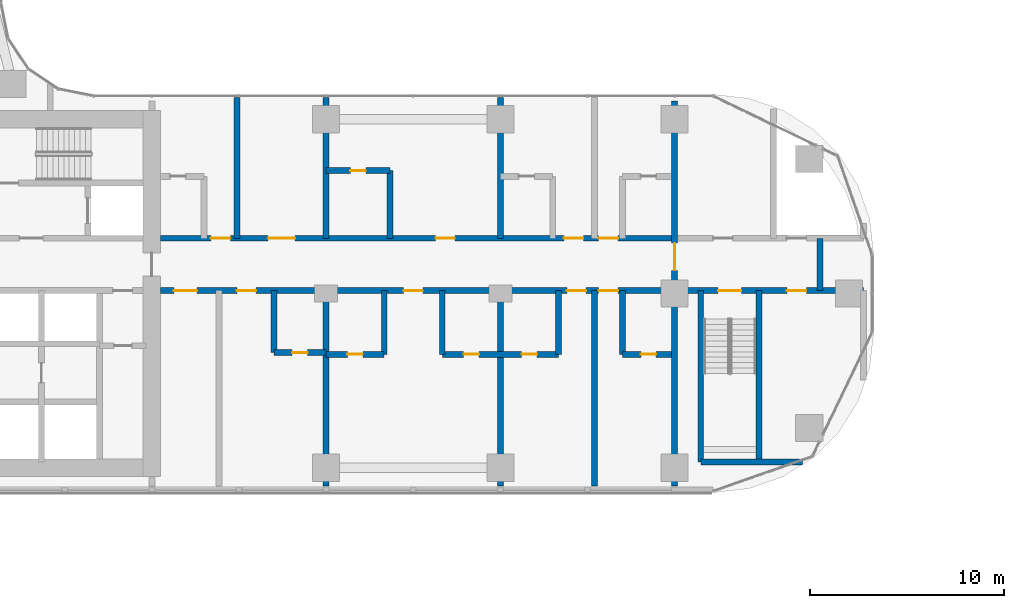
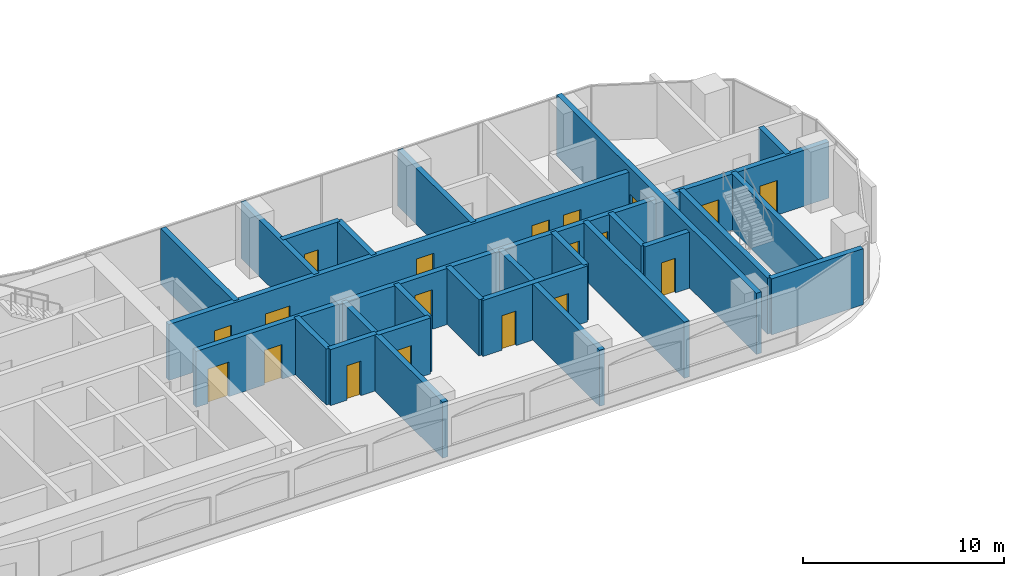
# One storey, part 20 of 36: 25 walls, 19 doors, 19 openings.
"""IFC4 building model written with IfcOpenShell, lengths in metres."""

from ifc_helpers import new_model, si_unit, direction, frame, frame_2d, origin, place, context, subcontext, project, spatial, rectangle, extrude, material, layer, layer_set, type_object, element, fill, save


model = new_model("IFC4")

# Units and contexts
model_context = context("Model", 3, precision=1e-05, world=origin(), true_north=direction((0.0, 1.0)))
body_context = subcontext(model_context, "Body", "Model", "MODEL_VIEW")
ifc_project = project(units=[si_unit("LENGTHUNIT", "METRE"), si_unit("AREAUNIT", "SQUARE_METRE"), si_unit("VOLUMEUNIT", "CUBIC_METRE"), si_unit("PLANEANGLEUNIT", "RADIAN"), si_unit("MASSUNIT", "GRAM", prefix="KILO")], contexts=[model_context])

# Site, building, storey
site_placement = place(None, origin())
site = spatial("IfcSite", under=ifc_project, at=site_placement, CompositionType="ELEMENT")
building_placement = place(site_placement, origin())
building = spatial("IfcBuilding", under=site, at=building_placement, Name="Ogive Portal Towers", CompositionType="ELEMENT")
storey_placement = place(building_placement, frame((0.0, 0.0, 48.300048828125)))
storey = spatial("IfcBuildingStorey", under=building, at=storey_placement, Name="L10", CompositionType="ELEMENT", Elevation=48.300048828125)

# Wall, opening, door
ifc_material_1 = material(Name="Concrete C60/75", Category="concrete")
ifc_layer_1 = layer(ifc_material_1, 0.300048828125)
ifc_layer_set_1 = layer_set([ifc_layer_1], Name="REVEAL WALL 300 C60")
wall_type_1 = type_object("IfcWallType", Name="REVEAL WALL 300 C60", PredefinedType="SHEAR", material=ifc_layer_set_1)
wall_1_placement = place(storey_placement, frame((85.5, 20.56494140625, 0.0), z_axis=(0.0, 0.0, 1.0), x_axis=(0.0, 1.0, 0.0)))
wall_1 = element("IfcWall", 1, at=wall_1_placement, inside=storey, type_object=wall_type_1, Name="Portal reveal wall L10", PredefinedType="SHEAR", context=body_context, shape_type="SweptSolid", body=[
    extrude(rectangle(XDim=19.8701171875, YDim=0.300048828125, at=frame_2d((9.93505859375, 0.0))), origin(), (0.0, 0.0, 1.0), 3.699951171875),
])
opening_1_placement = place(wall_1_placement, frame((11.135009765625, 0.0, 0.0)))
opening_1 = element("IfcOpeningElement", 2, at=opening_1_placement, cuts=wall_1, Name="Opening D02-069", PredefinedType="OPENING", context=body_context, shape_type="SweptSolid", body=[
    extrude(rectangle(XDim=1.39990234375, YDim=2.10009765625, at=frame_2d((0.699951171875, 1.050048828125))), frame((0.0, 0.16015625, 0.0), z_axis=(0.0, -1.0, 0.0), x_axis=(1.0, 0.0, 0.0)), (0.0, 0.0, 1.0), 0.320068359375),
])
ifc_material_2 = material(Name="Steel fire door", Category="steel")
door_type_1 = type_object("IfcDoorType", Name="DT-STAIR-1400x2100-FD90S", OperationType="SINGLE_SWING_LEFT", PredefinedType="DOOR", material=ifc_material_2)
door_1_placement = place(opening_1_placement, origin())
door_1 = element("IfcDoor", 3, at=door_1_placement, inside=storey, type_object=door_type_1, Name="Door D02-069", OperationType="SINGLE_SWING_RIGHT", OverallHeight=2.10009765625, OverallWidth=1.39990234375, PredefinedType="DOOR", context=body_context, shape_type="SweptSolid", body=[
    extrude(rectangle(XDim=1.39990234375, YDim=2.10009765625, at=frame_2d((0.699951171875, 1.050048828125))), frame((0.0, 0.02490234375, 0.0), z_axis=(0.0, -1.0, 0.0), x_axis=(1.0, 0.0, 0.0)), (0.0, 0.0, 1.0), 0.050048828125),
])
fill(opening_1, door_1)

# Wall
ifc_material_3 = material(Name="Concrete C50/60", Category="concrete")
ifc_layer_2 = layer(ifc_material_3, 0.300048828125)
ifc_layer_set_2 = layer_set([ifc_layer_2], Name="STAIR WALL 300 C50")
wall_type_2 = type_object("IfcWallType", Name="STAIR WALL 300 C50", PredefinedType="SHEAR", material=ifc_layer_set_2)
wall_2_placement = place(storey_placement, frame((86.85009765625, 21.800048828125, 0.0), z_axis=(0.0, 0.0, 1.0), x_axis=(1.0, 0.0, 0.0)))
element("IfcWall", 4, at=wall_2_placement, inside=storey, type_object=wall_type_2, Name="Stair wall ST-A4 L10", PredefinedType="SHEAR", context=body_context, shape_type="SweptSolid", body=[
    extrude(rectangle(XDim=5.263916015625, YDim=0.300048828125, at=frame_2d((2.6318359375, 0.0))), origin(), (0.0, 0.0, 1.0), 3.39990234375),
])

# Wall, openings, doors
wall_3_placement = place(storey_placement, frame((85.669921875, 30.64990234375, 0.0), z_axis=(0.0, 0.0, 1.0), x_axis=(1.0, 0.0, 0.0)))
wall_3 = element("IfcWall", 5, at=wall_3_placement, inside=storey, type_object=wall_type_2, Name="Stair wall ST-A4 L10", PredefinedType="SHEAR", context=body_context, shape_type="SweptSolid", body=[
    extrude(rectangle(XDim=9.580078125, YDim=0.300048828125, at=frame_2d((4.7900390625, 0.0))), origin(), (0.0, 0.0, 1.0), 3.39990234375),
])
opening_2_placement = place(wall_3_placement, frame((2.080078125, 0.0, 0.0)))
opening_2 = element("IfcOpeningElement", 6, at=opening_2_placement, cuts=wall_3, Name="Opening D02-064", PredefinedType="OPENING", context=body_context, shape_type="SweptSolid", body=[
    extrude(rectangle(XDim=1.199951171875, YDim=2.10009765625, at=frame_2d((0.60009765625, 1.050048828125))), frame((0.0, 0.16015625, 0.0), z_axis=(0.0, -1.0, 0.0), x_axis=(1.0, 0.0, 0.0)), (0.0, 0.0, 1.0), 0.320068359375),
])
opening_3_placement = place(wall_3_placement, frame((5.6298828125, 0.0, 0.0)))
opening_3 = element("IfcOpeningElement", 7, at=opening_3_placement, cuts=wall_3, Name="Opening D02-067", PredefinedType="OPENING", context=body_context, shape_type="SweptSolid", body=[
    extrude(rectangle(XDim=1.0, YDim=2.10009765625, at=frame_2d((0.5, 1.050048828125))), frame((0.0, 0.16015625, 0.0), z_axis=(0.0, -1.0, 0.0), x_axis=(1.0, 0.0, 0.0)), (0.0, 0.0, 1.0), 0.320068359375),
])
door_type_2 = type_object("IfcDoorType", Name="DT-SERVICE-1000x2100-FD90S", OperationType="SINGLE_SWING_LEFT", PredefinedType="DOOR", material=ifc_material_2)
door_2_placement = place(opening_3_placement, origin())
door_2 = element("IfcDoor", 8, at=door_2_placement, inside=storey, type_object=door_type_2, Name="Door D02-067", OperationType="SINGLE_SWING_LEFT", OverallHeight=2.10009765625, OverallWidth=1.0, PredefinedType="DOOR", context=body_context, shape_type="SweptSolid", body=[
    extrude(rectangle(XDim=1.0, YDim=2.10009765625, at=frame_2d((0.5, 1.050048828125))), frame((0.0, 0.02490234375, 0.0), z_axis=(0.0, -1.0, 0.0), x_axis=(1.0, 0.0, 0.0)), (0.0, 0.0, 1.0), 0.050048828125),
])
fill(opening_3, door_2)
door_type_3 = type_object("IfcDoorType", Name="DT-STAIR-1200x2100-FD90S", OperationType="SINGLE_SWING_LEFT", PredefinedType="DOOR", material=ifc_material_2)
door_3_placement = place(opening_2_placement, origin())
door_3 = element("IfcDoor", 9, at=door_3_placement, inside=storey, type_object=door_type_3, Name="Door D02-064", OperationType="SINGLE_SWING_LEFT", OverallHeight=2.10009765625, OverallWidth=1.199951171875, PredefinedType="DOOR", context=body_context, shape_type="SweptSolid", body=[
    extrude(rectangle(XDim=1.199951171875, YDim=2.10009765625, at=frame_2d((0.60009765625, 1.050048828125))), frame((0.0, 0.02490234375, 0.0), z_axis=(0.0, -1.0, 0.0), x_axis=(1.0, 0.0, 0.0)), (0.0, 0.0, 1.0), 0.050048828125),
])
fill(opening_2, door_3)

# Walls
for number, where, z_axis, x_axis, name in (
    (10, (86.85009765625, 21.800048828125, 0.0), (0.0, 0.0, 1.0), (0.0, 1.0, 0.0), "Stair wall ST-A4 L10"),
    (11, (89.85009765625, 21.800048828125, 0.0), (0.0, 0.0, 1.0), (0.0, 1.0, 0.0), "Stair wall ST-A4 L10"),
):
    element("IfcWall", number, at=place(storey_placement, frame(where, z_axis=z_axis, x_axis=x_axis)), inside=storey, type_object=wall_type_2, Name=name, PredefinedType="SHEAR", context=body_context, shape_type="SweptSolid", body=[
        extrude(rectangle(XDim=8.849853515625, YDim=0.300048828125, at=frame_2d((4.4248046875, 0.0))), origin(), (0.0, 0.0, 1.0), 3.39990234375),
    ])

# Wall, openings, doors
ifc_material_4 = material(Name="Gypsum board partition on steel studs", Category="steel")
ifc_layer_3 = layer(ifc_material_4, 0.300048828125)
ifc_layer_set_3 = layer_set([ifc_layer_3], Name="WT-PART-300-EI 120")
wall_type_3 = type_object("IfcWallType", Name="WT-PART-300-EI 120", PredefinedType="PARTITIONING", material=ifc_layer_set_3)
wall_4_placement = place(storey_placement, frame((58.949951171875, 30.64990234375, 0.0), z_axis=(0.0, 0.0, 1.0), x_axis=(1.0, 0.0, 0.0)))
wall_4 = element("IfcWall", 12, at=wall_4_placement, inside=storey, type_object=wall_type_3, Name="Wall L10:w006", PredefinedType="PARTITIONING", context=body_context, shape_type="SweptSolid", body=[
    extrude(rectangle(XDim=26.380126953125, YDim=0.300048828125, at=frame_2d((13.18994140625, 0.0))), origin(), (0.0, 0.0, 1.0), 3.39990234375),
])
opening_4_placement = place(wall_4_placement, frame((0.68505859375, 0.0, 0.0)))
opening_4 = element("IfcOpeningElement", 13, at=opening_4_placement, cuts=wall_4, Name="Opening D02-029", PredefinedType="OPENING", context=body_context, shape_type="SweptSolid", body=[
    extrude(rectangle(XDim=1.199951171875, YDim=2.10009765625, at=frame_2d((0.60009765625, 1.050048828125))), frame((0.0, 0.16015625, 0.0), z_axis=(0.0, -1.0, 0.0), x_axis=(1.0, 0.0, 0.0)), (0.0, 0.0, 1.0), 0.320068359375),
])
opening_5_placement = place(wall_4_placement, frame((3.93505859375, 0.0, 0.0)))
opening_5 = element("IfcOpeningElement", 14, at=opening_5_placement, cuts=wall_4, Name="Opening D02-031", PredefinedType="OPENING", context=body_context, shape_type="SweptSolid", body=[
    extrude(rectangle(XDim=1.0, YDim=2.10009765625, at=frame_2d((0.5, 1.050048828125))), frame((0.0, 0.16015625, 0.0), z_axis=(0.0, -1.0, 0.0), x_axis=(1.0, 0.0, 0.0)), (0.0, 0.0, 1.0), 0.320068359375),
])
opening_6_placement = place(wall_4_placement, frame((12.550048828125, 0.0, 0.0)))
opening_6 = element("IfcOpeningElement", 15, at=opening_6_placement, cuts=wall_4, Name="Opening D02-036", PredefinedType="OPENING", context=body_context, shape_type="SweptSolid", body=[
    extrude(rectangle(XDim=1.0, YDim=2.39990234375, at=frame_2d((0.5, 1.199951171875))), frame((0.0, 0.16015625, 0.0), z_axis=(0.0, -1.0, 0.0), x_axis=(1.0, 0.0, 0.0)), (0.0, 0.0, 1.0), 0.320068359375),
])
opening_7_placement = place(wall_4_placement, frame((20.97998046875, 0.0, 0.0)))
opening_7 = element("IfcOpeningElement", 16, at=opening_7_placement, cuts=wall_4, Name="Opening D02-042", PredefinedType="OPENING", context=body_context, shape_type="SweptSolid", body=[
    extrude(rectangle(XDim=1.0, YDim=2.39990234375, at=frame_2d((0.5, 1.199951171875))), frame((0.0, 0.16015625, 0.0), z_axis=(0.0, -1.0, 0.0), x_axis=(1.0, 0.0, 0.0)), (0.0, 0.0, 1.0), 0.320068359375),
])
opening_8_placement = place(wall_4_placement, frame((22.6298828125, 0.0, 0.0)))
opening_8 = element("IfcOpeningElement", 17, at=opening_8_placement, cuts=wall_4, Name="Opening D02-044", PredefinedType="OPENING", context=body_context, shape_type="SweptSolid", body=[
    extrude(rectangle(XDim=1.0, YDim=2.39990234375, at=frame_2d((0.5, 1.199951171875))), frame((0.0, 0.16015625, 0.0), z_axis=(0.0, -1.0, 0.0), x_axis=(1.0, 0.0, 0.0)), (0.0, 0.0, 1.0), 0.320068359375),
])
door_type_4 = type_object("IfcDoorType", Name="DT-ENTRY-1000x2100-FD90S", OperationType="SINGLE_SWING_LEFT", PredefinedType="DOOR", material=ifc_material_2)
door_4_placement = place(opening_5_placement, origin())
door_4 = element("IfcDoor", 18, at=door_4_placement, inside=storey, type_object=door_type_4, Name="Door D02-031", OperationType="SINGLE_SWING_LEFT", OverallHeight=2.10009765625, OverallWidth=1.0, PredefinedType="DOOR", context=body_context, shape_type="SweptSolid", body=[
    extrude(rectangle(XDim=1.0, YDim=2.10009765625, at=frame_2d((0.5, 1.050048828125))), frame((0.0, 0.02490234375, 0.0), z_axis=(0.0, -1.0, 0.0), x_axis=(1.0, 0.0, 0.0)), (0.0, 0.0, 1.0), 0.050048828125),
])
fill(opening_5, door_4)
door_type_5 = type_object("IfcDoorType", Name="DT-ENTRY-1000x2400-FD90S", OperationType="SINGLE_SWING_LEFT", PredefinedType="DOOR", material=ifc_material_2)
door_5_placement = place(opening_6_placement, origin())
door_5 = element("IfcDoor", 19, at=door_5_placement, inside=storey, type_object=door_type_5, Name="Door D02-036", OperationType="SINGLE_SWING_RIGHT", OverallHeight=2.39990234375, OverallWidth=1.0, PredefinedType="DOOR", context=body_context, shape_type="SweptSolid", body=[
    extrude(rectangle(XDim=1.0, YDim=2.39990234375, at=frame_2d((0.5, 1.199951171875))), frame((0.0, 0.02490234375, 0.0), z_axis=(0.0, -1.0, 0.0), x_axis=(1.0, 0.0, 0.0)), (0.0, 0.0, 1.0), 0.050048828125),
])
fill(opening_6, door_5)
door_6_placement = place(opening_7_placement, origin())
door_6 = element("IfcDoor", 20, at=door_6_placement, inside=storey, type_object=door_type_5, Name="Door D02-042", OperationType="SINGLE_SWING_LEFT", OverallHeight=2.39990234375, OverallWidth=1.0, PredefinedType="DOOR", context=body_context, shape_type="SweptSolid", body=[
    extrude(rectangle(XDim=1.0, YDim=2.39990234375, at=frame_2d((0.5, 1.199951171875))), frame((0.0, 0.02490234375, 0.0), z_axis=(0.0, -1.0, 0.0), x_axis=(1.0, 0.0, 0.0)), (0.0, 0.0, 1.0), 0.050048828125),
])
fill(opening_7, door_6)
door_7_placement = place(opening_8_placement, origin())
door_7 = element("IfcDoor", 21, at=door_7_placement, inside=storey, type_object=door_type_5, Name="Door D02-044", OperationType="SINGLE_SWING_RIGHT", OverallHeight=2.39990234375, OverallWidth=1.0, PredefinedType="DOOR", context=body_context, shape_type="SweptSolid", body=[
    extrude(rectangle(XDim=1.0, YDim=2.39990234375, at=frame_2d((0.5, 1.199951171875))), frame((0.0, 0.02490234375, 0.0), z_axis=(0.0, -1.0, 0.0), x_axis=(1.0, 0.0, 0.0)), (0.0, 0.0, 1.0), 0.050048828125),
])
fill(opening_8, door_7)
door_type_6 = type_object("IfcDoorType", Name="DT-ENTRY-1200x2100-FD90S", OperationType="SINGLE_SWING_LEFT", PredefinedType="DOOR", material=ifc_material_2)
door_8_placement = place(opening_4_placement, origin())
door_8 = element("IfcDoor", 22, at=door_8_placement, inside=storey, type_object=door_type_6, Name="Door D02-029", OperationType="SINGLE_SWING_LEFT", OverallHeight=2.10009765625, OverallWidth=1.199951171875, PredefinedType="DOOR", context=body_context, shape_type="SweptSolid", body=[
    extrude(rectangle(XDim=1.199951171875, YDim=2.10009765625, at=frame_2d((0.60009765625, 1.050048828125))), frame((0.0, 0.02490234375, 0.0), z_axis=(0.0, -1.0, 0.0), x_axis=(1.0, 0.0, 0.0)), (0.0, 0.0, 1.0), 0.050048828125),
])
fill(opening_4, door_8)

wall_5_placement = place(storey_placement, frame((58.949951171875, 33.35009765625, 0.0), z_axis=(0.0, 0.0, 1.0), x_axis=(1.0, 0.0, 0.0)))
wall_5 = element("IfcWall", 23, at=wall_5_placement, inside=storey, type_object=wall_type_3, Name="Wall L10:w008", PredefinedType="PARTITIONING", context=body_context, shape_type="SweptSolid", body=[
    extrude(rectangle(XDim=26.380126953125, YDim=0.300048828125, at=frame_2d((13.18994140625, 0.0))), origin(), (0.0, 0.0, 1.0), 3.39990234375),
])
opening_9_placement = place(wall_5_placement, frame((2.60009765625, 0.0, 0.0)))
opening_9 = element("IfcOpeningElement", 24, at=opening_9_placement, cuts=wall_5, Name="Opening D02-027", PredefinedType="OPENING", context=body_context, shape_type="SweptSolid", body=[
    extrude(rectangle(XDim=1.0, YDim=2.10009765625, at=frame_2d((0.5, 1.050048828125))), frame((0.0, 0.16015625, 0.0), z_axis=(0.0, -1.0, 0.0), x_axis=(1.0, 0.0, 0.0)), (0.0, 0.0, 1.0), 0.320068359375),
])
opening_10_placement = place(wall_5_placement, frame((5.550048828125, 0.0, 0.0)))
opening_10 = element("IfcOpeningElement", 25, at=opening_10_placement, cuts=wall_5, Name="Opening D02-028", PredefinedType="OPENING", context=body_context, shape_type="SweptSolid", body=[
    extrude(rectangle(XDim=1.39990234375, YDim=2.10009765625, at=frame_2d((0.699951171875, 1.050048828125))), frame((0.0, 0.16015625, 0.0), z_axis=(0.0, -1.0, 0.0), x_axis=(1.0, 0.0, 0.0)), (0.0, 0.0, 1.0), 0.320068359375),
])
opening_11_placement = place(wall_5_placement, frame((14.199951171875, 0.0, 0.0)))
opening_11 = element("IfcOpeningElement", 26, at=opening_11_placement, cuts=wall_5, Name="Opening D02-033", PredefinedType="OPENING", context=body_context, shape_type="SweptSolid", body=[
    extrude(rectangle(XDim=1.0, YDim=2.39990234375, at=frame_2d((0.5, 1.199951171875))), frame((0.0, 0.16015625, 0.0), z_axis=(0.0, -1.0, 0.0), x_axis=(1.0, 0.0, 0.0)), (0.0, 0.0, 1.0), 0.320068359375),
])
opening_12_placement = place(wall_5_placement, frame((20.830078125, 0.0, 0.0)))
opening_12 = element("IfcOpeningElement", 27, at=opening_12_placement, cuts=wall_5, Name="Opening D02-038", PredefinedType="OPENING", context=body_context, shape_type="SweptSolid", body=[
    extrude(rectangle(XDim=1.0, YDim=2.10009765625, at=frame_2d((0.5, 1.050048828125))), frame((0.0, 0.16015625, 0.0), z_axis=(0.0, -1.0, 0.0), x_axis=(1.0, 0.0, 0.0)), (0.0, 0.0, 1.0), 0.320068359375),
])
opening_13_placement = place(wall_5_placement, frame((22.6298828125, 0.0, 0.0)))
opening_13 = element("IfcOpeningElement", 28, at=opening_13_placement, cuts=wall_5, Name="Opening D02-040", PredefinedType="OPENING", context=body_context, shape_type="SweptSolid", body=[
    extrude(rectangle(XDim=1.0, YDim=2.10009765625, at=frame_2d((0.5, 1.050048828125))), frame((0.0, 0.16015625, 0.0), z_axis=(0.0, -1.0, 0.0), x_axis=(1.0, 0.0, 0.0)), (0.0, 0.0, 1.0), 0.320068359375),
])
door_9_placement = place(opening_9_placement, origin())
door_9 = element("IfcDoor", 29, at=door_9_placement, inside=storey, type_object=door_type_4, Name="Door D02-027", OperationType="SINGLE_SWING_LEFT", OverallHeight=2.10009765625, OverallWidth=1.0, PredefinedType="DOOR", context=body_context, shape_type="SweptSolid", body=[
    extrude(rectangle(XDim=1.0, YDim=2.10009765625, at=frame_2d((0.5, 1.050048828125))), frame((0.0, 0.02490234375, 0.0), z_axis=(0.0, -1.0, 0.0), x_axis=(1.0, 0.0, 0.0)), (0.0, 0.0, 1.0), 0.050048828125),
])
fill(opening_9, door_9)
door_10_placement = place(opening_12_placement, origin())
door_10 = element("IfcDoor", 30, at=door_10_placement, inside=storey, type_object=door_type_4, Name="Door D02-038", OperationType="SINGLE_SWING_RIGHT", OverallHeight=2.10009765625, OverallWidth=1.0, PredefinedType="DOOR", context=body_context, shape_type="SweptSolid", body=[
    extrude(rectangle(XDim=1.0, YDim=2.10009765625, at=frame_2d((0.5, 1.050048828125))), frame((0.0, 0.02490234375, 0.0), z_axis=(0.0, -1.0, 0.0), x_axis=(1.0, 0.0, 0.0)), (0.0, 0.0, 1.0), 0.050048828125),
])
fill(opening_12, door_10)
door_11_placement = place(opening_13_placement, origin())
door_11 = element("IfcDoor", 31, at=door_11_placement, inside=storey, type_object=door_type_4, Name="Door D02-040", OperationType="SINGLE_SWING_LEFT", OverallHeight=2.10009765625, OverallWidth=1.0, PredefinedType="DOOR", context=body_context, shape_type="SweptSolid", body=[
    extrude(rectangle(XDim=1.0, YDim=2.10009765625, at=frame_2d((0.5, 1.050048828125))), frame((0.0, 0.02490234375, 0.0), z_axis=(0.0, -1.0, 0.0), x_axis=(1.0, 0.0, 0.0)), (0.0, 0.0, 1.0), 0.050048828125),
])
fill(opening_13, door_11)
door_12_placement = place(opening_11_placement, origin())
door_12 = element("IfcDoor", 32, at=door_12_placement, inside=storey, type_object=door_type_5, Name="Door D02-033", OperationType="SINGLE_SWING_LEFT", OverallHeight=2.39990234375, OverallWidth=1.0, PredefinedType="DOOR", context=body_context, shape_type="SweptSolid", body=[
    extrude(rectangle(XDim=1.0, YDim=2.39990234375, at=frame_2d((0.5, 1.199951171875))), frame((0.0, 0.02490234375, 0.0), z_axis=(0.0, -1.0, 0.0), x_axis=(1.0, 0.0, 0.0)), (0.0, 0.0, 1.0), 0.050048828125),
])
fill(opening_11, door_12)
door_type_7 = type_object("IfcDoorType", Name="DT-ENTRY-1400x2100-FD90S", OperationType="SINGLE_SWING_LEFT", PredefinedType="DOOR", material=ifc_material_2)
door_13_placement = place(opening_10_placement, origin())
door_13 = element("IfcDoor", 33, at=door_13_placement, inside=storey, type_object=door_type_7, Name="Door D02-028", OperationType="SINGLE_SWING_RIGHT", OverallHeight=2.10009765625, OverallWidth=1.39990234375, PredefinedType="DOOR", context=body_context, shape_type="SweptSolid", body=[
    extrude(rectangle(XDim=1.39990234375, YDim=2.10009765625, at=frame_2d((0.699951171875, 1.050048828125))), frame((0.0, 0.02490234375, 0.0), z_axis=(0.0, -1.0, 0.0), x_axis=(1.0, 0.0, 0.0)), (0.0, 0.0, 1.0), 0.050048828125),
])
fill(opening_10, door_13)

# Wall
wall_6_placement = place(storey_placement, frame((93.0, 30.64990234375, 0.0), z_axis=(0.0, 0.0, 1.0), x_axis=(0.0, 1.0, 0.0)))
element("IfcWall", 34, at=wall_6_placement, inside=storey, type_object=wall_type_3, Name="Wall L10:w068", PredefinedType="PARTITIONING", context=body_context, shape_type="SweptSolid", body=[
    extrude(rectangle(XDim=2.7001953125, YDim=0.300048828125, at=frame_2d((1.35009765625, 0.0))), origin(), (0.0, 0.0, 1.0), 3.39990234375),
])

# Wall, opening, door
ifc_layer_4 = layer(ifc_material_4, 0.300048828125)
ifc_layer_set_4 = layer_set([ifc_layer_4], Name="WT-PART-300-EI 60")
wall_type_4 = type_object("IfcWallType", Name="WT-PART-300-EI 60", PredefinedType="PARTITIONING", material=ifc_layer_set_4)
wall_7_placement = place(storey_placement, frame((67.5, 27.35009765625, 0.0), z_axis=(0.0, 0.0, 1.0), x_axis=(1.0, 0.0, 0.0)))
wall_7 = element("IfcWall", 35, at=wall_7_placement, inside=storey, type_object=wall_type_4, Name="Wall L10:w002", PredefinedType="PARTITIONING", context=body_context, shape_type="SweptSolid", body=[
    extrude(rectangle(XDim=3.0, YDim=0.300048828125, at=frame_2d((1.5, 0.0))), origin(), (0.0, 0.0, 1.0), 3.39990234375),
])
opening_14_placement = place(wall_7_placement, frame((1.10009765625, 0.0, 0.0)))
opening_14 = element("IfcOpeningElement", 36, at=opening_14_placement, cuts=wall_7, Name="Opening D02-034", PredefinedType="OPENING", context=body_context, shape_type="SweptSolid", body=[
    extrude(rectangle(XDim=0.800048828125, YDim=2.10009765625, at=frame_2d((0.39990234375, 1.050048828125))), frame((0.0, 0.16015625, 0.0), z_axis=(0.0, -1.0, 0.0), x_axis=(1.0, 0.0, 0.0)), (0.0, 0.0, 1.0), 0.320068359375),
])
door_type_8 = type_object("IfcDoorType", Name="DT-BATH-800x2100-FD60S", OperationType="SINGLE_SWING_LEFT", PredefinedType="DOOR", material=ifc_material_2)
door_14_placement = place(opening_14_placement, origin())
door_14 = element("IfcDoor", 37, at=door_14_placement, inside=storey, type_object=door_type_8, Name="Door D02-034", OperationType="SINGLE_SWING_LEFT", OverallHeight=2.10009765625, OverallWidth=0.800048828125, PredefinedType="DOOR", context=body_context, shape_type="SweptSolid", body=[
    extrude(rectangle(XDim=0.800048828125, YDim=2.10009765625, at=frame_2d((0.39990234375, 1.050048828125))), frame((0.0, 0.02490234375, 0.0), z_axis=(0.0, -1.0, 0.0), x_axis=(1.0, 0.0, 0.0)), (0.0, 0.0, 1.0), 0.050048828125),
])
fill(opening_14, door_14)

# Wall, openings, doors
wall_8_placement = place(storey_placement, frame((73.5, 27.35009765625, 0.0), z_axis=(0.0, 0.0, 1.0), x_axis=(1.0, 0.0, 0.0)))
wall_8 = element("IfcWall", 38, at=wall_8_placement, inside=storey, type_object=wall_type_4, Name="Wall L10:w003", PredefinedType="PARTITIONING", context=body_context, shape_type="SweptSolid", body=[
    extrude(rectangle(XDim=6.0, YDim=0.300048828125, at=frame_2d((3.0, 0.0))), origin(), (0.0, 0.0, 1.0), 3.39990234375),
])
opening_15_placement = place(wall_8_placement, frame((1.10009765625, 0.0, 0.0)))
opening_15 = element("IfcOpeningElement", 39, at=opening_15_placement, cuts=wall_8, Name="Opening D02-035", PredefinedType="OPENING", context=body_context, shape_type="SweptSolid", body=[
    extrude(rectangle(XDim=0.800048828125, YDim=2.10009765625, at=frame_2d((0.39990234375, 1.050048828125))), frame((0.0, 0.16015625, 0.0), z_axis=(0.0, -1.0, 0.0), x_axis=(1.0, 0.0, 0.0)), (0.0, 0.0, 1.0), 0.320068359375),
])
opening_16_placement = place(wall_8_placement, frame((4.10009765625, 0.0, 0.0)))
opening_16 = element("IfcOpeningElement", 40, at=opening_16_placement, cuts=wall_8, Name="Opening D02-041", PredefinedType="OPENING", context=body_context, shape_type="SweptSolid", body=[
    extrude(rectangle(XDim=0.800048828125, YDim=2.10009765625, at=frame_2d((0.39990234375, 1.050048828125))), frame((0.0, 0.16015625, 0.0), z_axis=(0.0, -1.0, 0.0), x_axis=(1.0, 0.0, 0.0)), (0.0, 0.0, 1.0), 0.320068359375),
])
door_15_placement = place(opening_15_placement, origin())
door_15 = element("IfcDoor", 41, at=door_15_placement, inside=storey, type_object=door_type_8, Name="Door D02-035", OperationType="SINGLE_SWING_LEFT", OverallHeight=2.10009765625, OverallWidth=0.800048828125, PredefinedType="DOOR", context=body_context, shape_type="SweptSolid", body=[
    extrude(rectangle(XDim=0.800048828125, YDim=2.10009765625, at=frame_2d((0.39990234375, 1.050048828125))), frame((0.0, 0.02490234375, 0.0), z_axis=(0.0, -1.0, 0.0), x_axis=(1.0, 0.0, 0.0)), (0.0, 0.0, 1.0), 0.050048828125),
])
fill(opening_15, door_15)
door_16_placement = place(opening_16_placement, origin())
door_16 = element("IfcDoor", 42, at=door_16_placement, inside=storey, type_object=door_type_8, Name="Door D02-041", OperationType="SINGLE_SWING_LEFT", OverallHeight=2.10009765625, OverallWidth=0.800048828125, PredefinedType="DOOR", context=body_context, shape_type="SweptSolid", body=[
    extrude(rectangle(XDim=0.800048828125, YDim=2.10009765625, at=frame_2d((0.39990234375, 1.050048828125))), frame((0.0, 0.02490234375, 0.0), z_axis=(0.0, -1.0, 0.0), x_axis=(1.0, 0.0, 0.0)), (0.0, 0.0, 1.0), 0.050048828125),
])
fill(opening_16, door_16)

# Wall, opening, door
wall_9_placement = place(storey_placement, frame((82.800048828125, 27.35009765625, 0.0), z_axis=(0.0, 0.0, 1.0), x_axis=(1.0, 0.0, 0.0)))
wall_9 = element("IfcWall", 43, at=wall_9_placement, inside=storey, type_object=wall_type_4, Name="Wall L10:w004", PredefinedType="PARTITIONING", context=body_context, shape_type="SweptSolid", body=[
    extrude(rectangle(XDim=2.530029296875, YDim=0.300048828125, at=frame_2d((1.26513671875, 0.0))), origin(), (0.0, 0.0, 1.0), 3.39990234375),
])
opening_17_placement = place(wall_9_placement, frame((0.949951171875, 0.0, 0.0)))
opening_17 = element("IfcOpeningElement", 44, at=opening_17_placement, cuts=wall_9, Name="Opening D02-043", PredefinedType="OPENING", context=body_context, shape_type="SweptSolid", body=[
    extrude(rectangle(XDim=0.800048828125, YDim=2.10009765625, at=frame_2d((0.39990234375, 1.050048828125))), frame((0.0, 0.16015625, 0.0), z_axis=(0.0, -1.0, 0.0), x_axis=(1.0, 0.0, 0.0)), (0.0, 0.0, 1.0), 0.320068359375),
])
door_17_placement = place(opening_17_placement, origin())
door_17 = element("IfcDoor", 45, at=door_17_placement, inside=storey, type_object=door_type_8, Name="Door D02-043", OperationType="SINGLE_SWING_LEFT", OverallHeight=2.10009765625, OverallWidth=0.800048828125, PredefinedType="DOOR", context=body_context, shape_type="SweptSolid", body=[
    extrude(rectangle(XDim=0.800048828125, YDim=2.10009765625, at=frame_2d((0.39990234375, 1.050048828125))), frame((0.0, 0.02490234375, 0.0), z_axis=(0.0, -1.0, 0.0), x_axis=(1.0, 0.0, 0.0)), (0.0, 0.0, 1.0), 0.050048828125),
])
fill(opening_17, door_17)

wall_10_placement = place(storey_placement, frame((64.800048828125, 27.449951171875, 0.0), z_axis=(0.0, 0.0, 1.0), x_axis=(1.0, 0.0, 0.0)))
wall_10 = element("IfcWall", 46, at=wall_10_placement, inside=storey, type_object=wall_type_4, Name="Wall L10:w005", PredefinedType="PARTITIONING", context=body_context, shape_type="SweptSolid", body=[
    extrude(rectangle(XDim=2.699951171875, YDim=0.300048828125, at=frame_2d((1.35009765625, 0.0))), origin(), (0.0, 0.0, 1.0), 3.39990234375),
])
opening_18_placement = place(wall_10_placement, frame((0.949951171875, 0.0, 0.0)))
opening_18 = element("IfcOpeningElement", 47, at=opening_18_placement, cuts=wall_10, Name="Opening D02-030", PredefinedType="OPENING", context=body_context, shape_type="SweptSolid", body=[
    extrude(rectangle(XDim=0.800048828125, YDim=2.10009765625, at=frame_2d((0.39990234375, 1.050048828125))), frame((0.0, 0.16015625, 0.0), z_axis=(0.0, -1.0, 0.0), x_axis=(1.0, 0.0, 0.0)), (0.0, 0.0, 1.0), 0.320068359375),
])
door_18_placement = place(opening_18_placement, origin())
door_18 = element("IfcDoor", 48, at=door_18_placement, inside=storey, type_object=door_type_8, Name="Door D02-030", OperationType="SINGLE_SWING_RIGHT", OverallHeight=2.10009765625, OverallWidth=0.800048828125, PredefinedType="DOOR", context=body_context, shape_type="SweptSolid", body=[
    extrude(rectangle(XDim=0.800048828125, YDim=2.10009765625, at=frame_2d((0.39990234375, 1.050048828125))), frame((0.0, 0.02490234375, 0.0), z_axis=(0.0, -1.0, 0.0), x_axis=(1.0, 0.0, 0.0)), (0.0, 0.0, 1.0), 0.050048828125),
])
fill(opening_18, door_18)

wall_11_placement = place(storey_placement, frame((67.5, 36.85009765625, 0.0), z_axis=(0.0, 0.0, 1.0), x_axis=(1.0, 0.0, 0.0)))
wall_11 = element("IfcWall", 49, at=wall_11_placement, inside=storey, type_object=wall_type_4, Name="Wall L10:w013", PredefinedType="PARTITIONING", context=body_context, shape_type="SweptSolid", body=[
    extrude(rectangle(XDim=3.300048828125, YDim=0.300048828125, at=frame_2d((1.64990234375, 0.0))), origin(), (0.0, 0.0, 1.0), 3.39990234375),
])
opening_19_placement = place(wall_11_placement, frame((1.25, 0.0, 0.0)))
opening_19 = element("IfcOpeningElement", 50, at=opening_19_placement, cuts=wall_11, Name="Opening D02-032", PredefinedType="OPENING", context=body_context, shape_type="SweptSolid", body=[
    extrude(rectangle(XDim=0.800048828125, YDim=2.10009765625, at=frame_2d((0.39990234375, 1.050048828125))), frame((0.0, 0.16015625, 0.0), z_axis=(0.0, -1.0, 0.0), x_axis=(1.0, 0.0, 0.0)), (0.0, 0.0, 1.0), 0.320068359375),
])
door_19_placement = place(opening_19_placement, origin())
door_19 = element("IfcDoor", 51, at=door_19_placement, inside=storey, type_object=door_type_8, Name="Door D02-032", OperationType="SINGLE_SWING_LEFT", OverallHeight=2.10009765625, OverallWidth=0.800048828125, PredefinedType="DOOR", context=body_context, shape_type="SweptSolid", body=[
    extrude(rectangle(XDim=0.800048828125, YDim=2.10009765625, at=frame_2d((0.39990234375, 1.050048828125))), frame((0.0, 0.02490234375, 0.0), z_axis=(0.0, -1.0, 0.0), x_axis=(1.0, 0.0, 0.0)), (0.0, 0.0, 1.0), 0.050048828125),
])
fill(opening_19, door_19)

# Walls
wall_12_placement = place(storey_placement, frame((62.89990234375, 33.35009765625, 0.0), z_axis=(0.0, 0.0, 1.0), x_axis=(0.0, 1.0, 0.0)))
element("IfcWall", 52, at=wall_12_placement, inside=storey, type_object=wall_type_4, Name="Wall L10:w050", PredefinedType="PARTITIONING", context=body_context, shape_type="SweptSolid", body=[
    extrude(rectangle(XDim=7.264892578125, YDim=0.300048828125, at=frame_2d((3.63232421875, 0.0))), origin(), (0.0, 0.0, 1.0), 3.39990234375),
])
wall_13_placement = place(storey_placement, frame((64.800048828125, 27.449951171875, 0.0), z_axis=(0.0, 0.0, 1.0), x_axis=(0.0, 1.0, 0.0)))
element("IfcWall", 53, at=wall_13_placement, inside=storey, type_object=wall_type_4, Name="Wall L10:w051", PredefinedType="PARTITIONING", context=body_context, shape_type="SweptSolid", body=[
    extrude(rectangle(XDim=3.199951171875, YDim=0.300048828125, at=frame_2d((1.60009765625, 0.0))), origin(), (0.0, 0.0, 1.0), 3.39990234375),
])
wall_14_placement = place(storey_placement, frame((67.5, 20.56494140625, 0.0), z_axis=(0.0, 0.0, 1.0), x_axis=(0.0, 1.0, 0.0)))
element("IfcWall", 54, at=wall_14_placement, inside=storey, type_object=wall_type_4, Name="Wall L10:w052", PredefinedType="PARTITIONING", context=body_context, shape_type="SweptSolid", body=[
    extrude(rectangle(XDim=10.0849609375, YDim=0.300048828125, at=frame_2d((5.04248046875, 0.0))), origin(), (0.0, 0.0, 1.0), 3.39990234375),
])
wall_15_placement = place(storey_placement, frame((67.5, 33.35009765625, 0.0), z_axis=(0.0, 0.0, 1.0), x_axis=(0.0, 1.0, 0.0)))
element("IfcWall", 55, at=wall_15_placement, inside=storey, type_object=wall_type_4, Name="Wall L10:w053", PredefinedType="PARTITIONING", context=body_context, shape_type="SweptSolid", body=[
    extrude(rectangle(XDim=7.264892578125, YDim=0.300048828125, at=frame_2d((3.63232421875, 0.0))), origin(), (0.0, 0.0, 1.0), 3.39990234375),
])
wall_16_placement = place(storey_placement, frame((70.5, 27.35009765625, 0.0), z_axis=(0.0, 0.0, 1.0), x_axis=(0.0, 1.0, 0.0)))
element("IfcWall", 56, at=wall_16_placement, inside=storey, type_object=wall_type_4, Name="Wall L10:w054", PredefinedType="PARTITIONING", context=body_context, shape_type="SweptSolid", body=[
    extrude(rectangle(XDim=3.2998046875, YDim=0.300048828125, at=frame_2d((1.64990234375, 0.0))), origin(), (0.0, 0.0, 1.0), 3.39990234375),
])
wall_17_placement = place(storey_placement, frame((70.800048828125, 33.35009765625, 0.0), z_axis=(0.0, 0.0, 1.0), x_axis=(0.0, 1.0, 0.0)))
element("IfcWall", 57, at=wall_17_placement, inside=storey, type_object=wall_type_4, Name="Wall L10:w055", PredefinedType="PARTITIONING", context=body_context, shape_type="SweptSolid", body=[
    extrude(rectangle(XDim=3.5, YDim=0.300048828125, at=frame_2d((1.75, 0.0))), origin(), (0.0, 0.0, 1.0), 3.39990234375),
])
wall_18_placement = place(storey_placement, frame((73.5, 27.35009765625, 0.0), z_axis=(0.0, 0.0, 1.0), x_axis=(0.0, 1.0, 0.0)))
element("IfcWall", 58, at=wall_18_placement, inside=storey, type_object=wall_type_4, Name="Wall L10:w056", PredefinedType="PARTITIONING", context=body_context, shape_type="SweptSolid", body=[
    extrude(rectangle(XDim=3.2998046875, YDim=0.300048828125, at=frame_2d((1.64990234375, 0.0))), origin(), (0.0, 0.0, 1.0), 3.39990234375),
])
wall_19_placement = place(storey_placement, frame((76.5, 20.56494140625, 0.0), z_axis=(0.0, 0.0, 1.0), x_axis=(0.0, 1.0, 0.0)))
element("IfcWall", 59, at=wall_19_placement, inside=storey, type_object=wall_type_4, Name="Wall L10:w057", PredefinedType="PARTITIONING", context=body_context, shape_type="SweptSolid", body=[
    extrude(rectangle(XDim=10.0849609375, YDim=0.300048828125, at=frame_2d((5.04248046875, 0.0))), origin(), (0.0, 0.0, 1.0), 3.39990234375),
])
wall_20_placement = place(storey_placement, frame((76.5, 33.35009765625, 0.0), z_axis=(0.0, 0.0, 1.0), x_axis=(0.0, 1.0, 0.0)))
element("IfcWall", 60, at=wall_20_placement, inside=storey, type_object=wall_type_4, Name="Wall L10:w058", PredefinedType="PARTITIONING", context=body_context, shape_type="SweptSolid", body=[
    extrude(rectangle(XDim=7.264892578125, YDim=0.300048828125, at=frame_2d((3.63232421875, 0.0))), origin(), (0.0, 0.0, 1.0), 3.39990234375),
])
wall_21_placement = place(storey_placement, frame((79.5, 27.35009765625, 0.0), z_axis=(0.0, 0.0, 1.0), x_axis=(0.0, 1.0, 0.0)))
element("IfcWall", 61, at=wall_21_placement, inside=storey, type_object=wall_type_4, Name="Wall L10:w060", PredefinedType="PARTITIONING", context=body_context, shape_type="SweptSolid", body=[
    extrude(rectangle(XDim=3.2998046875, YDim=0.300048828125, at=frame_2d((1.64990234375, 0.0))), origin(), (0.0, 0.0, 1.0), 3.39990234375),
])
wall_22_placement = place(storey_placement, frame((81.360107421875, 20.56494140625, 0.0), z_axis=(0.0, 0.0, 1.0), x_axis=(0.0, 1.0, 0.0)))
element("IfcWall", 62, at=wall_22_placement, inside=storey, type_object=wall_type_4, Name="Wall L10:w061", PredefinedType="PARTITIONING", context=body_context, shape_type="SweptSolid", body=[
    extrude(rectangle(XDim=10.0849609375, YDim=0.300048828125, at=frame_2d((5.04248046875, 0.0))), origin(), (0.0, 0.0, 1.0), 3.39990234375),
])
wall_23_placement = place(storey_placement, frame((82.800048828125, 27.35009765625, 0.0), z_axis=(0.0, 0.0, 1.0), x_axis=(0.0, 1.0, 0.0)))
element("IfcWall", 63, at=wall_23_placement, inside=storey, type_object=wall_type_4, Name="Wall L10:w063", PredefinedType="PARTITIONING", context=body_context, shape_type="SweptSolid", body=[
    extrude(rectangle(XDim=3.2998046875, YDim=0.300048828125, at=frame_2d((1.64990234375, 0.0))), origin(), (0.0, 0.0, 1.0), 3.39990234375),
])

save(model, "model.ifc")
